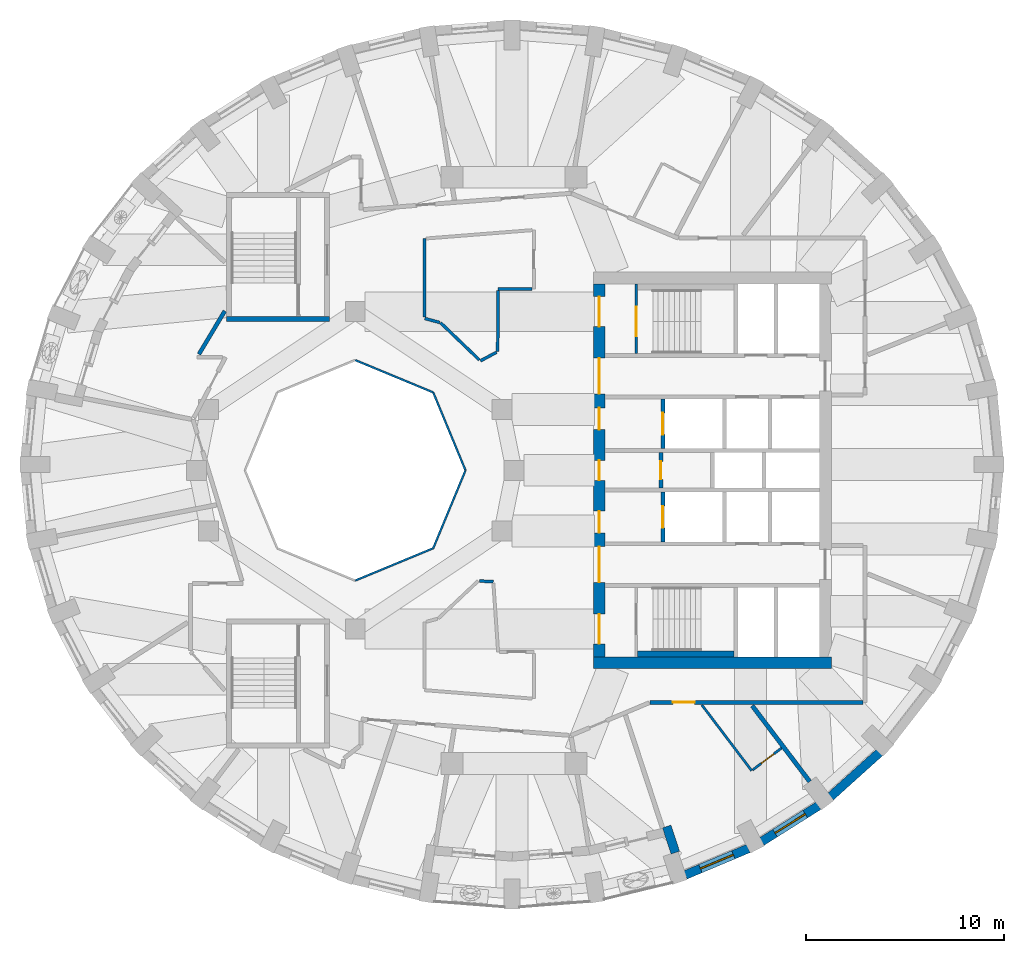
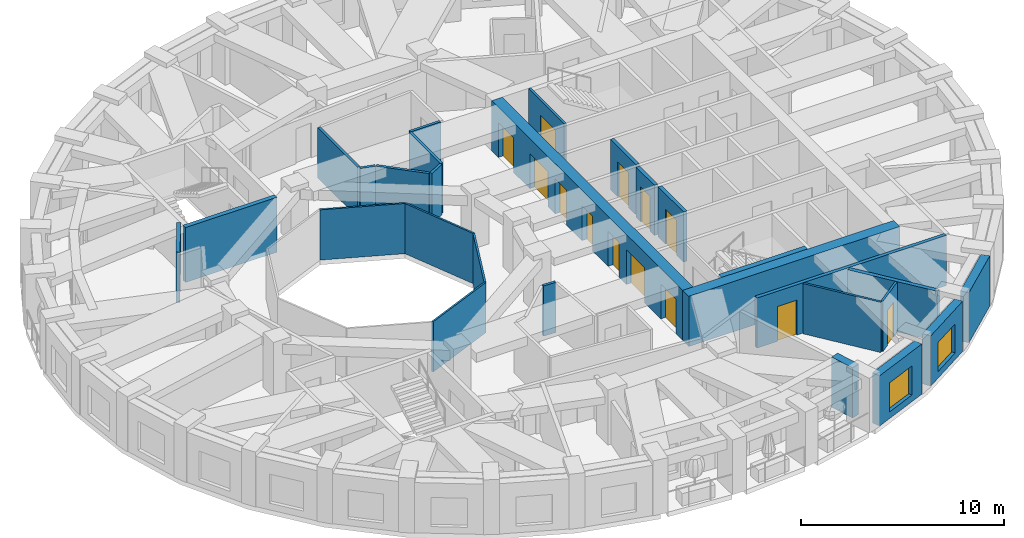
# One storey, part 5 of 12: 28 walls, 13 doors, 2 windows, 15 openings.
"""IFC4 building model written with IfcOpenShell, lengths in metres."""

from ifc_helpers import new_model, si_unit, direction, frame, frame_2d, origin, place, context, subcontext, project, spatial, rectangle, extrude, material, layer, layer_set, type_object, element, fill, save


model = new_model("IFC4")

# Units and contexts
model_context = context("Model", 3, precision=1e-05, world=origin(), true_north=direction((0.0, 1.0)))
body_context = subcontext(model_context, "Body", "Model", "MODEL_VIEW")
ifc_project = project(units=[si_unit("LENGTHUNIT", "METRE"), si_unit("AREAUNIT", "SQUARE_METRE"), si_unit("VOLUMEUNIT", "CUBIC_METRE"), si_unit("PLANEANGLEUNIT", "RADIAN"), si_unit("MASSUNIT", "GRAM", prefix="KILO")], contexts=[model_context])

# Site, building, storey
site_placement = place(None, origin())
site = spatial("IfcSite", under=ifc_project, at=site_placement, CompositionType="ELEMENT")
building_placement = place(site_placement, origin())
building = spatial("IfcBuilding", under=site, at=building_placement, Name="Taillehof Tower", CompositionType="ELEMENT")
storey_placement = place(building_placement, frame((0.0, 0.0, 246.5)))
storey = spatial("IfcBuildingStorey", under=building, at=storey_placement, Name="L70", CompositionType="ELEMENT", Elevation=246.5)

# Walls
ifc_material_1 = material(Name="Fire-resisting glass in steel frame", Category="steel")
ifc_layer_1 = layer(ifc_material_1, 0.10009765625)
ifc_layer_set_1 = layer_set([ifc_layer_1], Name="Atrium fire-resisting screen EI 60 100")
wall_type_1 = type_object("IfcWallType", Name="Atrium fire-resisting screen EI 60 100", PredefinedType="PARTITIONING", material=ifc_layer_set_1)
for number, where, z_axis, x_axis, name in (
    (1, (-2.44580078125, 0.0, 0.0), (0.0, 0.0, 1.0), (-0.382730523909, -0.923860025149, 0.0), "Atrium screen"),
    (2, (-4.07275390625, -3.92724609375, 0.0), (0.0, 0.0, 1.0), (-0.923860025149, -0.382730523909, 0.0), "Atrium screen"),
    (3, (-8.0, 5.55419921875, 0.0), (0.0, 0.0, 1.0), (0.923860025149, -0.382730523909, 0.0), "Atrium screen"),
    (4, (-4.07275390625, 3.92724609375, 0.0), (0.0, 0.0, 1.0), (0.382730523909, -0.923860025149, 0.0), "Atrium screen"),
):
    element("IfcWall", number, at=place(storey_placement, frame(where, z_axis=z_axis, x_axis=x_axis)), inside=storey, type_object=wall_type_1, Name=name, PredefinedType="PARTITIONING", context=body_context, shape_type="SweptSolid", body=[
        extrude(rectangle(XDim=4.2509765625, YDim=0.10009765625, at=frame_2d((2.12548828125, 0.0))), origin(), (0.0, 0.0, 1.0), 3.02001953125),
    ])

# Wall, opening, window
ifc_material_2 = material(Name="Brick masonry", Category="masonry")
ifc_layer_2 = layer(ifc_material_2, 0.449951171875)
ifc_layer_set_2 = layer_set([ifc_layer_2], Name="Brick infill wall 450")
wall_type_2 = type_object("IfcWallType", Name="Brick infill wall 450", PredefinedType="SOLIDWALL", material=ifc_layer_set_2)
wall_1_placement = place(storey_placement, frame((8.640869140625, -20.394775390625, 0.0), z_axis=(0.0, 0.0, 1.0), x_axis=(0.922049934692, 0.3870709469, 0.0)))
wall_1 = element("IfcWall", 5, at=wall_1_placement, inside=storey, type_object=wall_type_2, Name="Brick wall L70 bay 30", PredefinedType="SOLIDWALL", context=body_context, shape_type="SweptSolid", body=[
    extrude(rectangle(XDim=3.443115234375, YDim=0.449951171875, at=frame_2d((1.7216796875, 0.0))), origin(), (0.0, 0.0, 1.0), 3.02001953125),
])
opening_1_placement = place(wall_1_placement, frame((0.82177734375, 0.0, 0.39990234375)))
opening_1 = element("IfcOpeningElement", 6, at=opening_1_placement, cuts=wall_1, Name="Opening W4", PredefinedType="OPENING", context=body_context, shape_type="SweptSolid", body=[
    extrude(rectangle(XDim=1.800048828125, YDim=1.75, at=frame_2d((0.89990234375, 0.875))), frame((0.0, 0.23486328125, 0.0), z_axis=(0.0, -1.0, 0.0), x_axis=(1.0, 0.0, 0.0)), (0.0, 0.0, 1.0), 0.469970703125),
])
ifc_material_3 = material(Name="Aluminium window frame with clear double glazing", Category="aluminium")
window_type = type_object("IfcWindowType", Name="Deep-set window 1800x1750", PartitioningType="SINGLE_PANEL", PredefinedType="WINDOW", material=ifc_material_3)
window_1_placement = place(opening_1_placement, origin())
window_1 = element("IfcWindow", 7, at=window_1_placement, inside=storey, type_object=window_type, Name="W4", OverallHeight=1.75, OverallWidth=1.800048828125, PartitioningType="SINGLE_PANEL", PredefinedType="WINDOW", context=body_context, shape_type="SweptSolid", body=[
    extrude(rectangle(XDim=1.800048828125, YDim=1.75, at=frame_2d((0.89990234375, 0.875))), frame((0.0, 0.034912109375, 0.0), z_axis=(0.0, -1.0, 0.0), x_axis=(1.0, 0.0, 0.0)), (0.0, 0.0, 1.0), 0.06005859375),
])
fill(opening_1, window_1)

wall_2_placement = place(storey_placement, frame((12.489990234375, -18.7109375, 0.0), z_axis=(0.0, 0.0, 1.0), x_axis=(0.845929139811, 0.53329531258, 0.0)))
wall_2 = element("IfcWall", 8, at=wall_2_placement, inside=storey, type_object=wall_type_2, Name="Brick wall L70 bay 31", PredefinedType="SOLIDWALL", context=body_context, shape_type="SweptSolid", body=[
    extrude(rectangle(XDim=3.384521484375, YDim=0.449951171875, at=frame_2d((1.6923828125, 0.0))), origin(), (0.0, 0.0, 1.0), 3.02001953125),
])
opening_2_placement = place(wall_2_placement, frame((0.792236328125, 0.0, 0.39990234375)))
opening_2 = element("IfcOpeningElement", 9, at=opening_2_placement, cuts=wall_2, Name="Opening W4", PredefinedType="OPENING", context=body_context, shape_type="SweptSolid", body=[
    extrude(rectangle(XDim=1.800048828125, YDim=1.75, at=frame_2d((0.89990234375, 0.875))), frame((0.0, 0.23486328125, 0.0), z_axis=(0.0, -1.0, 0.0), x_axis=(1.0, 0.0, 0.0)), (0.0, 0.0, 1.0), 0.469970703125),
])
window_2_placement = place(opening_2_placement, origin())
window_2 = element("IfcWindow", 10, at=window_2_placement, inside=storey, type_object=window_type, Name="W4", OverallHeight=1.75, OverallWidth=1.800048828125, PartitioningType="SINGLE_PANEL", PredefinedType="WINDOW", context=body_context, shape_type="SweptSolid", body=[
    extrude(rectangle(XDim=1.800048828125, YDim=1.75, at=frame_2d((0.89990234375, 0.875))), frame((0.0, 0.034912109375, 0.0), z_axis=(0.0, -1.0, 0.0), x_axis=(1.0, 0.0, 0.0)), (0.0, 0.0, 1.0), 0.06005859375),
])
fill(opening_2, window_2)

# Walls
wall_3_placement = place(storey_placement, frame((15.959228515625, -16.447509765625, 0.0), z_axis=(0.0, 0.0, 1.0), x_axis=(0.743166014219, 0.669107073128, 0.0)))
element("IfcWall", 11, at=wall_3_placement, inside=storey, type_object=wall_type_2, Name="Brick wall L70 bay 32", PredefinedType="SOLIDWALL", context=body_context, shape_type="SweptSolid", body=[
    extrude(rectangle(XDim=3.31640625, YDim=0.449951171875, at=frame_2d((1.658203125, 0.0))), origin(), (0.0, 0.0, 1.0), 3.02001953125),
])
wall_4_placement = place(storey_placement, frame((8.1337890625, -19.273193359375, 0.0), z_axis=(0.0, 0.0, 1.0), x_axis=(-0.312379684595, 0.949957332017, 0.0)))
element("IfcWall", 12, at=wall_4_placement, inside=storey, type_object=wall_type_2, Name="Brick reveal L70 pocket 8", PredefinedType="SOLIDWALL", context=body_context, shape_type="SweptSolid", body=[
    extrude(rectangle(XDim=1.390380859375, YDim=0.449951171875, at=frame_2d((0.6953125, 0.0))), origin(), (0.0, 0.0, 1.0), 3.02001953125),
])

# Wall, opening, door
ifc_material_4 = material(Name="Calcium silicate masonry", Category="masonry")
ifc_layer_3 = layer(ifc_material_4, 0.199951171875)
ifc_layer_set_3 = layer_set([ifc_layer_3], Name="Compartment wall calcium silicate 200")
wall_type_3 = type_object("IfcWallType", Name="Compartment wall calcium silicate 200", PredefinedType="PARTITIONING", material=ifc_layer_set_3)
wall_5_placement = place(storey_placement, frame((7.39990234375, -0.89990234375, 0.0), z_axis=(0.0, 0.0, 1.0), x_axis=(0.0, 1.0, 0.0)))
wall_5 = element("IfcWall", 13, at=wall_5_placement, inside=storey, type_object=wall_type_3, Name="Compartment wall FW", PredefinedType="PARTITIONING", context=body_context, shape_type="SweptSolid", body=[
    extrude(rectangle(XDim=1.7998046875, YDim=0.199951171875, at=frame_2d((0.89990234375, 0.0))), origin(), (0.0, 0.0, 1.0), 3.02001953125),
])
opening_3_placement = place(wall_5_placement, frame((0.449951171875, 0.0, 0.0)))
opening_3 = element("IfcOpeningElement", 14, at=opening_3_placement, cuts=wall_5, Name="Opening D7014", PredefinedType="OPENING", context=body_context, shape_type="SweptSolid", body=[
    extrude(rectangle(XDim=0.89990234375, YDim=2.10009765625, at=frame_2d((0.449951171875, 1.050048828125))), frame((0.0, 0.10986328125, 0.0), z_axis=(0.0, -1.0, 0.0), x_axis=(1.0, 0.0, 0.0)), (0.0, 0.0, 1.0), 0.219970703125),
])
ifc_material_5 = material(Name="Steel-faced fire door", Category="steel")
door_type_1 = type_object("IfcDoorType", Name="Riser and service room door 900x2100", OperationType="SINGLE_SWING_LEFT", PredefinedType="DOOR", material=ifc_material_5)
door_1_placement = place(opening_3_placement, origin())
door_1 = element("IfcDoor", 15, at=door_1_placement, inside=storey, type_object=door_type_1, Name="Door Ice And Pantry Room", OperationType="SINGLE_SWING_RIGHT", OverallHeight=2.10009765625, OverallWidth=0.89990234375, PredefinedType="DOOR", context=body_context, shape_type="SweptSolid", body=[
    extrude(rectangle(XDim=0.89990234375, YDim=2.10009765625, at=frame_2d((0.449951171875, 1.050048828125))), frame((0.0, 0.02490234375, 0.0), z_axis=(0.0, -1.0, 0.0), x_axis=(1.0, 0.0, 0.0)), (0.0, 0.0, 1.0), 0.050048828125),
])
fill(opening_3, door_1)

ifc_material_6 = material(Name="Gypsum board on steel studs, two layers each side", Category="steel")
ifc_layer_4 = layer(ifc_material_6, 0.199951171875)
ifc_layer_set_4 = layer_set([ifc_layer_4], Name="Compartment wall corridor 200")
wall_type_4 = type_object("IfcWallType", Name="Compartment wall corridor 200", PredefinedType="PARTITIONING", material=ifc_layer_set_4)
wall_6_placement = place(storey_placement, frame((17.599853515625, -11.699951171875, 0.0), z_axis=(0.0, 0.0, 1.0), x_axis=(-1.0, 0.0, 0.0)))
wall_6 = element("IfcWall", 16, at=wall_6_placement, inside=storey, type_object=wall_type_4, Name="Compartment wall", PredefinedType="PARTITIONING", context=body_context, shape_type="SweptSolid", body=[
    extrude(rectangle(XDim=10.7509765625, YDim=0.199951171875, at=frame_2d((5.37548828125, 0.0))), origin(), (0.0, 0.0, 1.0), 3.02001953125),
])
opening_4_placement = place(wall_6_placement, frame((8.493408203125, 0.0, 0.0)))
opening_4 = element("IfcOpeningElement", 17, at=opening_4_placement, cuts=wall_6, Name="Opening D7054", PredefinedType="OPENING", context=body_context, shape_type="SweptSolid", body=[
    extrude(rectangle(XDim=1.10009765625, YDim=2.10009765625, at=frame_2d((0.550048828125, 1.050048828125))), frame((0.0, 0.10986328125, 0.0), z_axis=(0.0, -1.0, 0.0), x_axis=(1.0, 0.0, 0.0)), (0.0, 0.0, 1.0), 0.219970703125),
])
ifc_material_7 = material(Name="Timber door leaf in steel frame", Category="steel")
door_type_2 = type_object("IfcDoorType", Name="Suite entrance door EI 30 1100 x 2100", OperationType="SINGLE_SWING_LEFT", PredefinedType="DOOR", material=ifc_material_7)
door_2_placement = place(opening_4_placement, origin())
door_2 = element("IfcDoor", 18, at=door_2_placement, inside=storey, type_object=door_type_2, Name="D7054", OperationType="SINGLE_SWING_LEFT", OverallHeight=2.10009765625, OverallWidth=1.10009765625, PredefinedType="DOOR", context=body_context, shape_type="SweptSolid", body=[
    extrude(rectangle(XDim=1.10009765625, YDim=2.10009765625, at=frame_2d((0.550048828125, 1.050048828125))), frame((0.0, 0.02490234375, 0.0), z_axis=(0.0, -1.0, 0.0), x_axis=(1.0, 0.0, 0.0)), (0.0, 0.0, 1.0), 0.050048828125),
])
fill(opening_4, door_2)

# Walls
wall_7_placement = place(storey_placement, frame((-15.8818359375, 5.853759765625, 0.0), z_axis=(0.0, 0.0, 1.0), x_axis=(0.514042598012, 0.857764657368, 0.0)))
element("IfcWall", 19, at=wall_7_placement, inside=storey, type_object=wall_type_4, Name="Compartment wall", PredefinedType="PARTITIONING", context=body_context, shape_type="SweptSolid", body=[
    extrude(rectangle(XDim=2.53564453125, YDim=0.199951171875, at=frame_2d((1.267822265625, 0.0))), origin(), (0.0, 0.0, 1.0), 3.02001953125),
])
ifc_material_8 = material(Name="Gypsum board on double steel studs with mineral wool", Category="steel")
ifc_layer_5 = layer(ifc_material_8, 0.219970703125)
ifc_layer_set_5 = layer_set([ifc_layer_5], Name="Compartment wall guest room 220")
wall_type_5 = type_object("IfcWallType", Name="Compartment wall guest room 220", PredefinedType="PARTITIONING", material=ifc_layer_set_5)
wall_8_placement = place(storey_placement, frame((14.906005859375, -15.687255859375, 0.0), z_axis=(0.0, 0.0, 1.0), x_axis=(-0.604046750172, 0.796948883936, 0.0)))
element("IfcWall", 20, at=wall_8_placement, inside=storey, type_object=wall_type_5, Name="Compartment wall", PredefinedType="PARTITIONING", context=body_context, shape_type="SweptSolid", body=[
    extrude(rectangle(XDim=4.7978515625, YDim=0.219970703125, at=frame_2d((2.39892578125, 0.0))), origin(), (0.0, 0.0, 1.0), 3.02001953125),
])
ifc_material_9 = material(Name="Calcium silicate masonry", Category="masonry")
ifc_layer_6 = layer(ifc_material_9, 0.300048828125)
ifc_layer_set_6 = layer_set([ifc_layer_6], Name="Compartment wall lining calcium silicate 300")
wall_type_6 = type_object("IfcWallType", Name="Compartment wall lining calcium silicate 300", PredefinedType="PARTITIONING", material=ifc_layer_set_6)
wall_9_placement = place(storey_placement, frame((6.219970703125, -9.25, 0.0), z_axis=(0.0, 0.0, 1.0), x_axis=(1.0, 0.0, 0.0)))
element("IfcWall", 21, at=wall_9_placement, inside=storey, type_object=wall_type_6, Name="Compartment wall FW", PredefinedType="PARTITIONING", context=body_context, shape_type="SweptSolid", body=[
    extrude(rectangle(XDim=4.880126953125, YDim=0.300048828125, at=frame_2d((2.43994140625, 0.0))), origin(), (0.0, 0.0, 1.0), 3.02001953125),
])
ifc_material_10 = material(Name="Gypsum board on steel studs, two layers each side", Category="steel")
ifc_layer_7 = layer(ifc_material_10, 0.14990234375)
ifc_layer_set_7 = layer_set([ifc_layer_7], Name="Compartment wall service room 150")
wall_type_7 = type_object("IfcWallType", Name="Compartment wall service room 150", PredefinedType="PARTITIONING", material=ifc_layer_set_7)
wall_10_placement = place(storey_placement, frame((0.919921875, 9.14990234375, 0.0), z_axis=(0.0, 0.0, 1.0), x_axis=(-1.0, 0.0, 0.0)))
element("IfcWall", 22, at=wall_10_placement, inside=storey, type_object=wall_type_7, Name="Compartment wall", PredefinedType="PARTITIONING", context=body_context, shape_type="SweptSolid", body=[
    extrude(rectangle(XDim=1.719970703125, YDim=0.14990234375, at=frame_2d((0.85986328125, 0.0))), origin(), (0.0, 0.0, 1.0), 3.02001953125),
])
wall_11_placement = place(storey_placement, frame((-0.801025390625, 9.06982421875, 0.0), z_axis=(0.0, 0.0, 1.0), x_axis=(-0.006879482938, -0.999976336077, 0.0)))
element("IfcWall", 23, at=wall_11_placement, inside=storey, type_object=wall_type_7, Name="Compartment wall", PredefinedType="PARTITIONING", context=body_context, shape_type="SweptSolid", body=[
    extrude(rectangle(XDim=3.08740234375, YDim=0.14990234375, at=frame_2d((1.543701171875, 0.0))), origin(), (0.0, 0.0, 1.0), 3.02001953125),
])
wall_12_placement = place(storey_placement, frame((-0.875, 5.953857421875, 0.0), z_axis=(0.0, 0.0, 1.0), x_axis=(-0.882018256262, -0.471215232798, 0.0)))
element("IfcWall", 24, at=wall_12_placement, inside=storey, type_object=wall_type_7, Name="Compartment wall", PredefinedType="PARTITIONING", context=body_context, shape_type="SweptSolid", body=[
    extrude(rectangle(XDim=0.929443359375, YDim=0.14990234375, at=frame_2d((0.46484375, 0.0))), origin(), (0.0, 0.0, 1.0), 3.02001953125),
])
wall_13_placement = place(storey_placement, frame((-1.75244140625, 5.571533203125, 0.0), z_axis=(0.0, 0.0, 1.0), x_axis=(-0.721943077846, 0.691952449487, 0.0)))
element("IfcWall", 25, at=wall_13_placement, inside=storey, type_object=wall_type_7, Name="Compartment wall", PredefinedType="PARTITIONING", context=body_context, shape_type="SweptSolid", body=[
    extrude(rectangle(XDim=2.70263671875, YDim=0.14990234375, at=frame_2d((1.351318359375, 0.0))), origin(), (0.0, 0.0, 1.0), 3.02001953125),
])
wall_14_placement = place(storey_placement, frame((-3.7421875, 7.451904296875, 0.0), z_axis=(0.0, 0.0, 1.0), x_axis=(-0.965903596155, 0.258901994846, 0.0)))
element("IfcWall", 26, at=wall_14_placement, inside=storey, type_object=wall_type_7, Name="Compartment wall", PredefinedType="PARTITIONING", context=body_context, shape_type="SweptSolid", body=[
    extrude(rectangle(XDim=0.78466796875, YDim=0.14990234375, at=frame_2d((0.392333984375, 0.0))), origin(), (0.0, 0.0, 1.0), 3.02001953125),
])
wall_15_placement = place(storey_placement, frame((-4.5, 7.735107421875, 0.0), z_axis=(0.0, 0.0, 1.0), x_axis=(0.0, 1.0, 0.0)))
element("IfcWall", 27, at=wall_15_placement, inside=storey, type_object=wall_type_7, Name="Compartment wall", PredefinedType="PARTITIONING", context=body_context, shape_type="SweptSolid", body=[
    extrude(rectangle(XDim=3.946044921875, YDim=0.14990234375, at=frame_2d((1.97314453125, 0.0))), origin(), (0.0, 0.0, 1.0), 3.02001953125),
])
wall_16_placement = place(storey_placement, frame((-1.74560546875, -5.578125, 0.0), z_axis=(0.0, 0.0, 1.0), x_axis=(0.998798699726, -0.049001606354, 0.0)))
element("IfcWall", 28, at=wall_16_placement, inside=storey, type_object=wall_type_7, Name="Compartment wall", PredefinedType="PARTITIONING", context=body_context, shape_type="SweptSolid", body=[
    extrude(rectangle(XDim=0.702392578125, YDim=0.14990234375, at=frame_2d((0.35107421875, 0.0))), origin(), (0.0, 0.0, 1.0), 3.02001953125),
])

# Wall, openings, doors
ifc_material_11 = material(Name="Concrete C80/95", Category="concrete")
ifc_layer_8 = layer(ifc_material_11, 0.60009765625)
ifc_layer_set_8 = layer_set([ifc_layer_8], Name="Core wall C80/95 600")
wall_type_8 = type_object("IfcWallType", Name="Core wall C80/95 600", PredefinedType="SHEAR", material=ifc_layer_set_8)
wall_17_placement = place(storey_placement, frame((4.300048828125, -9.39990234375, 0.0), z_axis=(0.0, 0.0, 1.0), x_axis=(0.0, 1.0, 0.0)))
wall_17 = element("IfcWall", 29, at=wall_17_placement, inside=storey, type_object=wall_type_8, Name="Core wall CW01", PredefinedType="SHEAR", context=body_context, shape_type="SweptSolid", body=[
    extrude(rectangle(XDim=18.7998046875, YDim=0.60009765625, at=frame_2d((9.39990234375, 0.0))), origin(), (0.0, 0.0, 1.0), 3.02001953125),
])
opening_5_placement = place(wall_17_placement, frame((0.64990234375, 0.0, 0.0)))
opening_5 = element("IfcOpeningElement", 30, at=opening_5_placement, cuts=wall_17, Name="Opening D7001", PredefinedType="OPENING", context=body_context, shape_type="SweptSolid", body=[
    extrude(rectangle(XDim=1.5, YDim=2.10009765625, at=frame_2d((0.75, 1.050048828125))), frame((0.0, 0.31005859375, 0.0), z_axis=(0.0, -1.0, 0.0), x_axis=(1.0, 0.0, 0.0)), (0.0, 0.0, 1.0), 0.6201171875),
])
opening_6_placement = place(wall_17_placement, frame((3.75, 0.0, 0.0)))
opening_6 = element("IfcOpeningElement", 31, at=opening_6_placement, cuts=wall_17, Name="Opening D7002", PredefinedType="OPENING", context=body_context, shape_type="SweptSolid", body=[
    extrude(rectangle(XDim=1.800048828125, YDim=2.10009765625, at=frame_2d((0.89990234375, 1.050048828125))), frame((0.0, 0.31005859375, 0.0), z_axis=(0.0, -1.0, 0.0), x_axis=(1.0, 0.0, 0.0)), (0.0, 0.0, 1.0), 0.6201171875),
])
opening_7_placement = place(wall_17_placement, frame((6.25, 0.0, 0.0)))
opening_7 = element("IfcOpeningElement", 32, at=opening_7_placement, cuts=wall_17, Name="Opening D7003", PredefinedType="OPENING", context=body_context, shape_type="SweptSolid", body=[
    extrude(rectangle(XDim=1.10009765625, YDim=2.10009765625, at=frame_2d((0.550048828125, 1.050048828125))), frame((0.0, 0.31005859375, 0.0), z_axis=(0.0, -1.0, 0.0), x_axis=(1.0, 0.0, 0.0)), (0.0, 0.0, 1.0), 0.6201171875),
])
opening_8_placement = place(wall_17_placement, frame((8.89990234375, 0.0, 0.0)))
opening_8 = element("IfcOpeningElement", 33, at=opening_8_placement, cuts=wall_17, Name="Opening D7004", PredefinedType="OPENING", context=body_context, shape_type="SweptSolid", body=[
    extrude(rectangle(XDim=1.0, YDim=2.10009765625, at=frame_2d((0.5, 1.050048828125))), frame((0.0, 0.31005859375, 0.0), z_axis=(0.0, -1.0, 0.0), x_axis=(1.0, 0.0, 0.0)), (0.0, 0.0, 1.0), 0.6201171875),
])
opening_9_placement = place(wall_17_placement, frame((11.449951171875, 0.0, 0.0)))
opening_9 = element("IfcOpeningElement", 34, at=opening_9_placement, cuts=wall_17, Name="Opening D7005", PredefinedType="OPENING", context=body_context, shape_type="SweptSolid", body=[
    extrude(rectangle(XDim=1.10009765625, YDim=2.10009765625, at=frame_2d((0.550048828125, 1.050048828125))), frame((0.0, 0.31005859375, 0.0), z_axis=(0.0, -1.0, 0.0), x_axis=(1.0, 0.0, 0.0)), (0.0, 0.0, 1.0), 0.6201171875),
])
opening_10_placement = place(wall_17_placement, frame((13.25, 0.0, 0.0)))
opening_10 = element("IfcOpeningElement", 35, at=opening_10_placement, cuts=wall_17, Name="Opening D7006", PredefinedType="OPENING", context=body_context, shape_type="SweptSolid", body=[
    extrude(rectangle(XDim=1.800048828125, YDim=2.10009765625, at=frame_2d((0.89990234375, 1.050048828125))), frame((0.0, 0.31005859375, 0.0), z_axis=(0.0, -1.0, 0.0), x_axis=(1.0, 0.0, 0.0)), (0.0, 0.0, 1.0), 0.6201171875),
])
opening_11_placement = place(wall_17_placement, frame((16.64990234375, 0.0, 0.0)))
opening_11 = element("IfcOpeningElement", 36, at=opening_11_placement, cuts=wall_17, Name="Opening D7007", PredefinedType="OPENING", context=body_context, shape_type="SweptSolid", body=[
    extrude(rectangle(XDim=1.5, YDim=2.10009765625, at=frame_2d((0.75, 1.050048828125))), frame((0.0, 0.31005859375, 0.0), z_axis=(0.0, -1.0, 0.0), x_axis=(1.0, 0.0, 0.0)), (0.0, 0.0, 1.0), 0.6201171875),
])
ifc_material_12 = material(Name="Steel-faced fire door", Category="steel")
door_type_3 = type_object("IfcDoorType", Name="Firefighting lobby door 1100x2100", OperationType="SINGLE_SWING_RIGHT", PredefinedType="DOOR", material=ifc_material_12)
door_3_placement = place(opening_7_placement, origin())
door_3 = element("IfcDoor", 37, at=door_3_placement, inside=storey, type_object=door_type_3, Name="Firefighting lobby door FFL-S", OperationType="SINGLE_SWING_RIGHT", OverallHeight=2.10009765625, OverallWidth=1.10009765625, PredefinedType="DOOR", context=body_context, shape_type="SweptSolid", body=[
    extrude(rectangle(XDim=1.10009765625, YDim=2.10009765625, at=frame_2d((0.550048828125, 1.050048828125))), frame((0.0, 0.02490234375, 0.0), z_axis=(0.0, -1.0, 0.0), x_axis=(1.0, 0.0, 0.0)), (0.0, 0.0, 1.0), 0.050048828125),
])
fill(opening_7, door_3)
door_4_placement = place(opening_9_placement, origin())
door_4 = element("IfcDoor", 38, at=door_4_placement, inside=storey, type_object=door_type_3, Name="Firefighting lobby door FFL-N", OperationType="SINGLE_SWING_LEFT", OverallHeight=2.10009765625, OverallWidth=1.10009765625, PredefinedType="DOOR", context=body_context, shape_type="SweptSolid", body=[
    extrude(rectangle(XDim=1.10009765625, YDim=2.10009765625, at=frame_2d((0.550048828125, 1.050048828125))), frame((0.0, 0.02490234375, 0.0), z_axis=(0.0, -1.0, 0.0), x_axis=(1.0, 0.0, 0.0)), (0.0, 0.0, 1.0), 0.050048828125),
])
fill(opening_9, door_4)
ifc_material_13 = material(Name="Steel-faced fire door", Category="steel")
door_type_4 = type_object("IfcDoorType", Name="Lift lobby door 1800x2100", OperationType="DOUBLE_DOOR_SINGLE_SWING", PredefinedType="DOOR", material=ifc_material_13)
door_5_placement = place(opening_6_placement, origin())
door_5 = element("IfcDoor", 39, at=door_5_placement, inside=storey, type_object=door_type_4, Name="Lift lobby door LL-S", OperationType="DOUBLE_DOOR_SINGLE_SWING", OverallHeight=2.10009765625, OverallWidth=1.800048828125, PredefinedType="DOOR", context=body_context, shape_type="SweptSolid", body=[
    extrude(rectangle(XDim=1.800048828125, YDim=2.10009765625, at=frame_2d((0.89990234375, 1.050048828125))), frame((0.0, 0.02490234375, 0.0), z_axis=(0.0, -1.0, 0.0), x_axis=(1.0, 0.0, 0.0)), (0.0, 0.0, 1.0), 0.050048828125),
])
fill(opening_6, door_5)
door_6_placement = place(opening_10_placement, origin())
door_6 = element("IfcDoor", 40, at=door_6_placement, inside=storey, type_object=door_type_4, Name="Lift lobby door LL-N", OperationType="DOUBLE_DOOR_SINGLE_SWING", OverallHeight=2.10009765625, OverallWidth=1.800048828125, PredefinedType="DOOR", context=body_context, shape_type="SweptSolid", body=[
    extrude(rectangle(XDim=1.800048828125, YDim=2.10009765625, at=frame_2d((0.89990234375, 1.050048828125))), frame((0.0, 0.02490234375, 0.0), z_axis=(0.0, -1.0, 0.0), x_axis=(1.0, 0.0, 0.0)), (0.0, 0.0, 1.0), 0.050048828125),
])
fill(opening_10, door_6)
ifc_material_14 = material(Name="Steel-faced fire door", Category="steel")
door_type_5 = type_object("IfcDoorType", Name="Service door 1000x2100", OperationType="SINGLE_SWING_RIGHT", PredefinedType="DOOR", material=ifc_material_14)
door_7_placement = place(opening_8_placement, origin())
door_7 = element("IfcDoor", 41, at=door_7_placement, inside=storey, type_object=door_type_5, Name="Service door SV", OperationType="SINGLE_SWING_RIGHT", OverallHeight=2.10009765625, OverallWidth=1.0, PredefinedType="DOOR", context=body_context, shape_type="SweptSolid", body=[
    extrude(rectangle(XDim=1.0, YDim=2.10009765625, at=frame_2d((0.5, 1.050048828125))), frame((0.0, 0.02490234375, 0.0), z_axis=(0.0, -1.0, 0.0), x_axis=(1.0, 0.0, 0.0)), (0.0, 0.0, 1.0), 0.050048828125),
])
fill(opening_8, door_7)
ifc_material_15 = material(Name="Steel-faced fire door", Category="steel")
door_type_6 = type_object("IfcDoorType", Name="Stair door 1500x2100", OperationType="DOUBLE_DOOR_SINGLE_SWING", PredefinedType="DOOR", material=ifc_material_15)
door_8_placement = place(opening_5_placement, origin())
door_8 = element("IfcDoor", 42, at=door_8_placement, inside=storey, type_object=door_type_6, Name="Stair door S2", OperationType="DOUBLE_DOOR_SINGLE_SWING", OverallHeight=2.10009765625, OverallWidth=1.5, PredefinedType="DOOR", context=body_context, shape_type="SweptSolid", body=[
    extrude(rectangle(XDim=1.5, YDim=2.10009765625, at=frame_2d((0.75, 1.050048828125))), frame((0.0, 0.02490234375, 0.0), z_axis=(0.0, -1.0, 0.0), x_axis=(1.0, 0.0, 0.0)), (0.0, 0.0, 1.0), 0.050048828125),
])
fill(opening_5, door_8)
door_9_placement = place(opening_11_placement, origin())
door_9 = element("IfcDoor", 43, at=door_9_placement, inside=storey, type_object=door_type_6, Name="Stair door S1", OperationType="DOUBLE_DOOR_SINGLE_SWING", OverallHeight=2.10009765625, OverallWidth=1.5, PredefinedType="DOOR", context=body_context, shape_type="SweptSolid", body=[
    extrude(rectangle(XDim=1.5, YDim=2.10009765625, at=frame_2d((0.75, 1.050048828125))), frame((0.0, 0.02490234375, 0.0), z_axis=(0.0, -1.0, 0.0), x_axis=(1.0, 0.0, 0.0)), (0.0, 0.0, 1.0), 0.050048828125),
])
fill(opening_11, door_9)

# Walls
wall_18_placement = place(storey_placement, frame((4.0, -9.699951171875, 0.0), z_axis=(0.0, 0.0, 1.0), x_axis=(1.0, 0.0, 0.0)))
element("IfcWall", 44, at=wall_18_placement, inside=storey, type_object=wall_type_8, Name="Core wall CW07", PredefinedType="SHEAR", context=body_context, shape_type="SweptSolid", body=[
    extrude(rectangle(XDim=12.0, YDim=0.60009765625, at=frame_2d((6.0, 0.0))), origin(), (0.0, 0.0, 1.0), 3.02001953125),
])
ifc_material_16 = material(Name="Gypsum board on steel studs, moisture resistant", Category="steel")
ifc_layer_9 = layer(ifc_material_16, 0.1201171875)
ifc_layer_set_9 = layer_set([ifc_layer_9], Name="En-suite wall 120")
wall_type_9 = type_object("IfcWallType", Name="En-suite wall 120", PredefinedType="PARTITIONING", material=ifc_layer_set_9)
wall_19_placement = place(storey_placement, frame((9.474365234375, -11.831787109375, 0.0), z_axis=(0.0, 0.0, 1.0), x_axis=(0.604029811985, -0.796961721938, 0.0)))
element("IfcWall", 45, at=wall_19_placement, inside=storey, type_object=wall_type_9, Name="En-suite wall", PredefinedType="PARTITIONING", context=body_context, shape_type="SweptSolid", body=[
    extrude(rectangle(XDim=4.150634765625, YDim=0.1201171875, at=frame_2d((2.0751953125, 0.0))), origin(), (0.0, 0.0, 1.0), 3.02001953125),
])

# Wall, opening, door
wall_20_placement = place(storey_placement, frame((12.029296875, -15.103515625, 0.0), z_axis=(0.0, 0.0, 1.0), x_axis=(0.796883918959, 0.60413245212, 0.0)))
wall_20 = element("IfcWall", 46, at=wall_20_placement, inside=storey, type_object=wall_type_9, Name="En-suite wall", PredefinedType="PARTITIONING", context=body_context, shape_type="SweptSolid", body=[
    extrude(rectangle(XDim=1.830322265625, YDim=0.1201171875, at=frame_2d((0.9150390625, 0.0))), origin(), (0.0, 0.0, 1.0), 3.02001953125),
])
opening_12_placement = place(wall_20_placement, frame((0.5400390625, 0.0, 0.0)))
opening_12 = element("IfcOpeningElement", 47, at=opening_12_placement, cuts=wall_20, Name="Opening D7055", PredefinedType="OPENING", context=body_context, shape_type="SweptSolid", body=[
    extrude(rectangle(XDim=0.800048828125, YDim=2.10009765625, at=frame_2d((0.39990234375, 1.050048828125))), frame((0.0, 0.070068359375, 0.0), z_axis=(0.0, -1.0, 0.0), x_axis=(1.0, 0.0, 0.0)), (0.0, 0.0, 1.0), 0.14013671875),
])
ifc_material_17 = material(Name="Timber door leaf in steel frame", Category="steel")
door_type_7 = type_object("IfcDoorType", Name="En-suite door 800 x 2100", OperationType="SINGLE_SWING_LEFT", PredefinedType="DOOR", material=ifc_material_17)
door_10_placement = place(opening_12_placement, origin())
door_10 = element("IfcDoor", 48, at=door_10_placement, inside=storey, type_object=door_type_7, Name="D7055", OperationType="SINGLE_SWING_LEFT", OverallHeight=2.10009765625, OverallWidth=0.800048828125, PredefinedType="DOOR", context=body_context, shape_type="SweptSolid", body=[
    extrude(rectangle(XDim=0.800048828125, YDim=2.10009765625, at=frame_2d((0.39990234375, 1.050048828125))), frame((0.0, 0.02490234375, 0.0), z_axis=(0.0, -1.0, 0.0), x_axis=(1.0, 0.0, 0.0)), (0.0, 0.0, 1.0), 0.050048828125),
])
fill(opening_12, door_10)

ifc_material_18 = material(Name="Concrete C50/60", Category="concrete")
ifc_layer_10 = layer(ifc_material_18, 0.199951171875)
ifc_layer_set_10 = layer_set([ifc_layer_10], Name="Shaft wall C50/60 200")
wall_type_10 = type_object("IfcWallType", Name="Shaft wall C50/60 200", PredefinedType="SHEAR", material=ifc_layer_set_10)
wall_21_placement = place(storey_placement, frame((7.5, 1.10009765625, 0.0), z_axis=(0.0, 0.0, 1.0), x_axis=(0.0, 1.0, 0.0)))
wall_21 = element("IfcWall", 49, at=wall_21_placement, inside=storey, type_object=wall_type_10, Name="Shaft wall SW", PredefinedType="SHEAR", context=body_context, shape_type="SweptSolid", body=[
    extrude(rectangle(XDim=2.5, YDim=0.199951171875, at=frame_2d((1.25, 0.0))), origin(), (0.0, 0.0, 1.0), 3.02001953125),
])
opening_13_placement = place(wall_21_placement, frame((0.699951171875, 0.0, 0.0)))
opening_13 = element("IfcOpeningElement", 50, at=opening_13_placement, cuts=wall_21, Name="Opening LD1", PredefinedType="OPENING", context=body_context, shape_type="SweptSolid", body=[
    extrude(rectangle(XDim=1.10009765625, YDim=2.10009765625, at=frame_2d((0.550048828125, 1.050048828125))), frame((0.0, 0.10986328125, 0.0), z_axis=(0.0, -1.0, 0.0), x_axis=(1.0, 0.0, 0.0)), (0.0, 0.0, 1.0), 0.219970703125),
])
ifc_material_19 = material(Name="Stainless steel", Category="steel")
door_type_8 = type_object("IfcDoorType", Name="Lift landing door LD1 1100x2100", OperationType="DOUBLE_DOOR_SLIDING", PredefinedType="DOOR", material=ifc_material_19)
door_11_placement = place(opening_13_placement, origin())
door_11 = element("IfcDoor", 51, at=door_11_placement, inside=storey, type_object=door_type_8, Name="Landing door FF1", OperationType="DOUBLE_DOOR_SLIDING", OverallHeight=2.10009765625, OverallWidth=1.10009765625, PredefinedType="DOOR", context=body_context, shape_type="SweptSolid", body=[
    extrude(rectangle(XDim=1.10009765625, YDim=2.10009765625, at=frame_2d((0.550048828125, 1.050048828125))), frame((0.0, 0.02490234375, 0.0), z_axis=(0.0, -1.0, 0.0), x_axis=(1.0, 0.0, 0.0)), (0.0, 0.0, 1.0), 0.050048828125),
])
fill(opening_13, door_11)

wall_22_placement = place(storey_placement, frame((7.5, -3.60009765625, 0.0), z_axis=(0.0, 0.0, 1.0), x_axis=(0.0, 1.0, 0.0)))
wall_22 = element("IfcWall", 52, at=wall_22_placement, inside=storey, type_object=wall_type_10, Name="Shaft wall SW", PredefinedType="SHEAR", context=body_context, shape_type="SweptSolid", body=[
    extrude(rectangle(XDim=2.5, YDim=0.199951171875, at=frame_2d((1.25, 0.0))), origin(), (0.0, 0.0, 1.0), 3.02001953125),
])
opening_14_placement = place(wall_22_placement, frame((0.699951171875, 0.0, 0.0)))
opening_14 = element("IfcOpeningElement", 53, at=opening_14_placement, cuts=wall_22, Name="Opening LD1", PredefinedType="OPENING", context=body_context, shape_type="SweptSolid", body=[
    extrude(rectangle(XDim=1.10009765625, YDim=2.10009765625, at=frame_2d((0.550048828125, 1.050048828125))), frame((0.0, 0.10986328125, 0.0), z_axis=(0.0, -1.0, 0.0), x_axis=(1.0, 0.0, 0.0)), (0.0, 0.0, 1.0), 0.219970703125),
])
door_12_placement = place(opening_14_placement, origin())
door_12 = element("IfcDoor", 54, at=door_12_placement, inside=storey, type_object=door_type_8, Name="Landing door FF2", OperationType="DOUBLE_DOOR_SLIDING", OverallHeight=2.10009765625, OverallWidth=1.10009765625, PredefinedType="DOOR", context=body_context, shape_type="SweptSolid", body=[
    extrude(rectangle(XDim=1.10009765625, YDim=2.10009765625, at=frame_2d((0.550048828125, 1.050048828125))), frame((0.0, 0.02490234375, 0.0), z_axis=(0.0, -1.0, 0.0), x_axis=(1.0, 0.0, 0.0)), (0.0, 0.0, 1.0), 0.050048828125),
])
fill(opening_14, door_12)

ifc_material_20 = material(Name="Concrete C50/60", Category="concrete")
ifc_layer_11 = layer(ifc_material_20, 0.1201171875)
ifc_layer_set_11 = layer_set([ifc_layer_11], Name="Stair lobby wall C50/60 120")
wall_type_11 = type_object("IfcWallType", Name="Stair lobby wall C50/60 120", PredefinedType="SHEAR", material=ifc_layer_set_11)
wall_23_placement = place(storey_placement, frame((6.159912109375, 5.89990234375, 0.0), z_axis=(0.0, 0.0, 1.0), x_axis=(0.0, 1.0, 0.0)))
wall_23 = element("IfcWall", 55, at=wall_23_placement, inside=storey, type_object=wall_type_11, Name="Compartment wall SW", PredefinedType="SHEAR", context=body_context, shape_type="SweptSolid", body=[
    extrude(rectangle(XDim=3.5, YDim=0.1201171875, at=frame_2d((1.75, 0.0))), origin(), (0.0, 0.0, 1.0), 3.02001953125),
])
opening_15_placement = place(wall_23_placement, frame((0.85009765625, 0.0, 0.0)))
opening_15 = element("IfcOpeningElement", 56, at=opening_15_placement, cuts=wall_23, Name="Opening D7010", PredefinedType="OPENING", context=body_context, shape_type="SweptSolid", body=[
    extrude(rectangle(XDim=1.5, YDim=2.10009765625, at=frame_2d((0.75, 1.050048828125))), frame((0.0, 0.070068359375, 0.0), z_axis=(0.0, -1.0, 0.0), x_axis=(1.0, 0.0, 0.0)), (0.0, 0.0, 1.0), 0.14013671875),
])
door_13_placement = place(opening_15_placement, origin())
door_13 = element("IfcDoor", 57, at=door_13_placement, inside=storey, type_object=door_type_6, Name="Stair lobby door S1", OperationType="DOUBLE_DOOR_SINGLE_SWING", OverallHeight=2.10009765625, OverallWidth=1.5, PredefinedType="DOOR", context=body_context, shape_type="SweptSolid", body=[
    extrude(rectangle(XDim=1.5, YDim=2.10009765625, at=frame_2d((0.75, 1.050048828125))), frame((0.0, 0.02490234375, 0.0), z_axis=(0.0, -1.0, 0.0), x_axis=(1.0, 0.0, 0.0)), (0.0, 0.0, 1.0), 0.050048828125),
])
fill(opening_15, door_13)

# Wall
ifc_material_21 = material(Name="Concrete C50/60", Category="concrete")
ifc_layer_12 = layer(ifc_material_21, 0.25)
ifc_layer_set_12 = layer_set([ifc_layer_12], Name="Stair wall C50/60 250")
wall_type_12 = type_object("IfcWallType", Name="Stair wall C50/60 250", PredefinedType="SHEAR", material=ifc_layer_set_12)
wall_24_placement = place(storey_placement, frame((-14.5, 7.625, -0.280029296875), z_axis=(0.0, 0.0, 1.0), x_axis=(1.0, 0.0, 0.0)))
element("IfcWall", 58, at=wall_24_placement, inside=storey, type_object=wall_type_12, Name="Stair wall SC", PredefinedType="SHEAR", context=body_context, shape_type="SweptSolid", body=[
    extrude(rectangle(XDim=5.199951171875, YDim=0.25, at=frame_2d((2.60009765625, 0.0))), origin(), (0.0, 0.0, 1.0), 3.300048828125),
])

save(model, "model.ifc")
